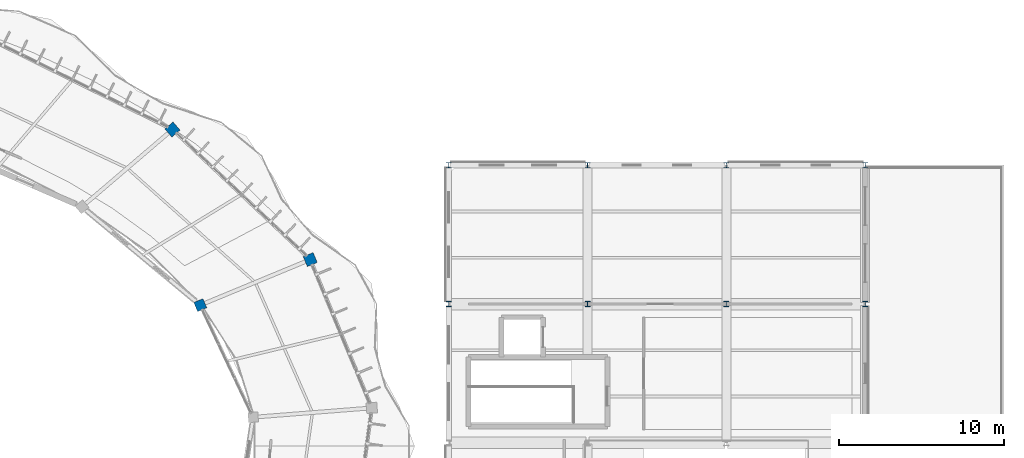
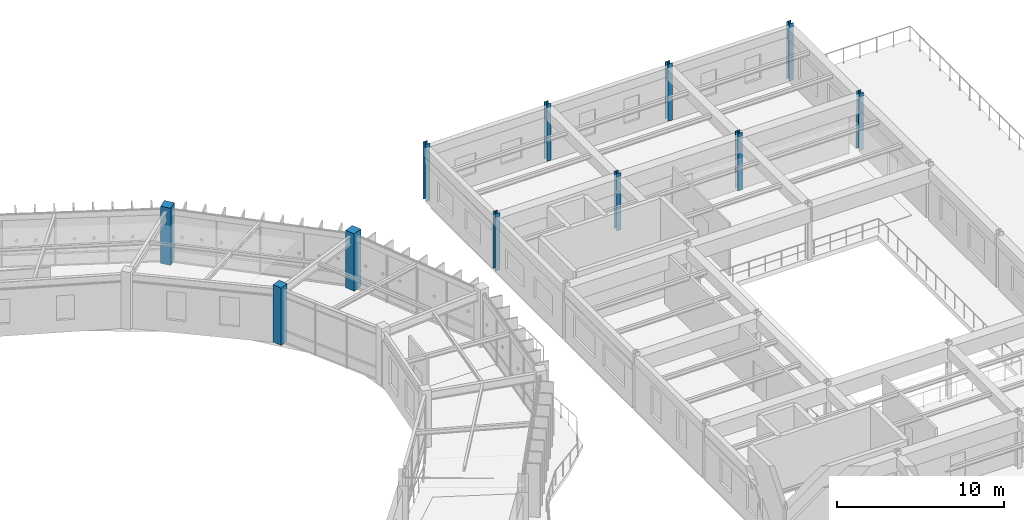
# One storey, part 5 of 114: 11 columns.
"""IFC4 building model written with IfcOpenShell, lengths in metres."""

from ifc_helpers import new_model, si_unit, direction, frame, origin, origin_2d, place, context, subcontext, project, spatial, rectangle, i_section, extrude, material, material_profile, profile_set, type_object, element, save


model = new_model("IFC4")

# Units and contexts
model_context = context("Model", 3, precision=1e-05, world=origin(), true_north=direction((0.0, 1.0)))
body_context = subcontext(model_context, "Body", "Model", "MODEL_VIEW")
ifc_project = project(units=[si_unit("LENGTHUNIT", "METRE"), si_unit("AREAUNIT", "SQUARE_METRE"), si_unit("VOLUMEUNIT", "CUBIC_METRE"), si_unit("PLANEANGLEUNIT", "RADIAN"), si_unit("MASSUNIT", "GRAM", prefix="KILO"), si_unit("THERMODYNAMICTEMPERATUREUNIT", "KELVIN"), si_unit("POWERUNIT", "WATT")], contexts=[model_context])

# Site, building, storey
site_placement = place(None, origin())
site = spatial("IfcSite", under=ifc_project, at=site_placement, CompositionType="ELEMENT")
building_placement = place(site_placement, origin())
building = spatial("IfcBuilding", under=site, at=building_placement, Name="Darbajah Civic Hall", CompositionType="ELEMENT")
storey_placement = place(building_placement, frame((0.0, 0.0, 13.800048828125)))
storey = spatial("IfcBuildingStorey", under=building, at=storey_placement, Name="L03", CompositionType="ELEMENT", Elevation=13.800048828125)

# Columns
ifc_material_1 = material(Name="Concrete C45/55", Category="concrete")
ifc_material_profile_1 = material_profile(ifc_material_1, rectangle(XDim=0.60009765625, YDim=0.60009765625, at=origin_2d()), Name="RC COL 600x600")
ifc_profile_set_1 = profile_set([ifc_material_profile_1], Name="Concrete C45/55")
column_type_1 = type_object("IfcColumnType", Name="RC COL 600x600", PredefinedType="COLUMN", material=ifc_profile_set_1)
column_placement = place(storey_placement, frame((129.56591796875, 98.333740234375, 0.0), z_axis=(0.0, 0.0, 1.0), x_axis=(0.923879532511, 0.382683432365, 0.0)))
element("IfcColumn", 1, at=column_placement, inside=storey, type_object=column_type_1, Name="L03 column C-RC600", PredefinedType="COLUMN", context=body_context, shape_type="SweptSolid", body=[
    extrude(rectangle(XDim=0.60009765625, YDim=0.60009765625, at=origin_2d()), origin(), (0.0, 0.0, 1.0), 4.199951171875),
])
ifc_material_profile_2 = material_profile(ifc_material_1, rectangle(XDim=0.64990234375, YDim=0.64990234375, at=origin_2d()), Name="RC COL 650x650")
ifc_profile_set_2 = profile_set([ifc_material_profile_2], Name="Concrete C45/55")
column_type_2 = type_object("IfcColumnType", Name="RC COL 650x650", PredefinedType="COLUMN", material=ifc_profile_set_2)
for number, where, z_axis, x_axis, name in (
    (2, (136.218017578125, 101.089111328125, 0.0), (0.0, 0.0, 1.0), (0.923879532511, 0.382683432365, 0.0), "L03 column C-RC650"),
    (3, (127.880615234375, 108.958740234375, 0.0), (0.0, 0.0, 1.0), (0.7604059656, 0.64944804833, 0.0), "L03 column C-RC650"),
):
    element("IfcColumn", number, at=place(storey_placement, frame(where, z_axis=z_axis, x_axis=x_axis)), inside=storey, type_object=column_type_2, Name=name, PredefinedType="COLUMN", context=body_context, shape_type="SweptSolid", body=[
        extrude(rectangle(XDim=0.64990234375, YDim=0.64990234375, at=origin_2d()), origin(), (0.0, 0.0, 1.0), 4.199951171875),
    ])
ifc_material_2 = material(Name="Steel S355JR", Category="steel")
ifc_material_profile_3 = material_profile(ifc_material_2, i_section(OverallWidth=0.30908203125, OverallDepth=0.320556640625, WebThickness=0.013916015625, FlangeThickness=0.021728515625, FilletRadius=0.01513671875, at=origin_2d()), Name="UC 305x305x137")
ifc_profile_set_3 = profile_set([ifc_material_profile_3], Name="Steel S355JR")
column_type_3 = type_object("IfcColumnType", Name="UC 305x305x137", PredefinedType="COLUMN", material=ifc_profile_set_3)
for number, where, z_axis, x_axis, name in (
    (4, (144.60009765625, 98.39990234375, 0.0), (0.0, 0.0, 1.0), (1.0, 0.0, 0.0), "L03 column C-UC305"),
    (5, (144.60009765625, 106.800048828125, 0.0), (0.0, 0.0, 1.0), (1.0, 0.0, 0.0), "L03 column C-UC305"),
    (6, (153.0, 98.39990234375, 0.0), (0.0, 0.0, 1.0), (1.0, 0.0, 0.0), "L03 column C-UC305"),
    (7, (153.0, 106.800048828125, 0.0), (0.0, 0.0, 1.0), (1.0, 0.0, 0.0), "L03 column C-UC305"),
    (8, (161.39990234375, 98.39990234375, 0.0), (0.0, 0.0, 1.0), (1.0, 0.0, 0.0), "L03 column C-UC305"),
    (9, (161.39990234375, 106.800048828125, 0.0), (0.0, 0.0, 1.0), (1.0, 0.0, 0.0), "L03 column C-UC305"),
    (10, (169.800048828125, 98.39990234375, 0.0), (0.0, 0.0, 1.0), (1.0, 0.0, 0.0), "L03 column C-UC305"),
    (11, (169.800048828125, 106.800048828125, 0.0), (0.0, 0.0, 1.0), (1.0, 0.0, 0.0), "L03 column C-UC305"),
):
    element("IfcColumn", number, at=place(storey_placement, frame(where, z_axis=z_axis, x_axis=x_axis)), inside=storey, type_object=column_type_3, Name=name, PredefinedType="COLUMN", context=body_context, shape_type="SweptSolid", body=[
        extrude(i_section(OverallWidth=0.30908203125, OverallDepth=0.320556640625, WebThickness=0.013916015625, FlangeThickness=0.021728515625, FilletRadius=0.01513671875, at=origin_2d()), origin(), (0.0, 0.0, 1.0), 4.199951171875),
    ])

save(model, "model.ifc")
